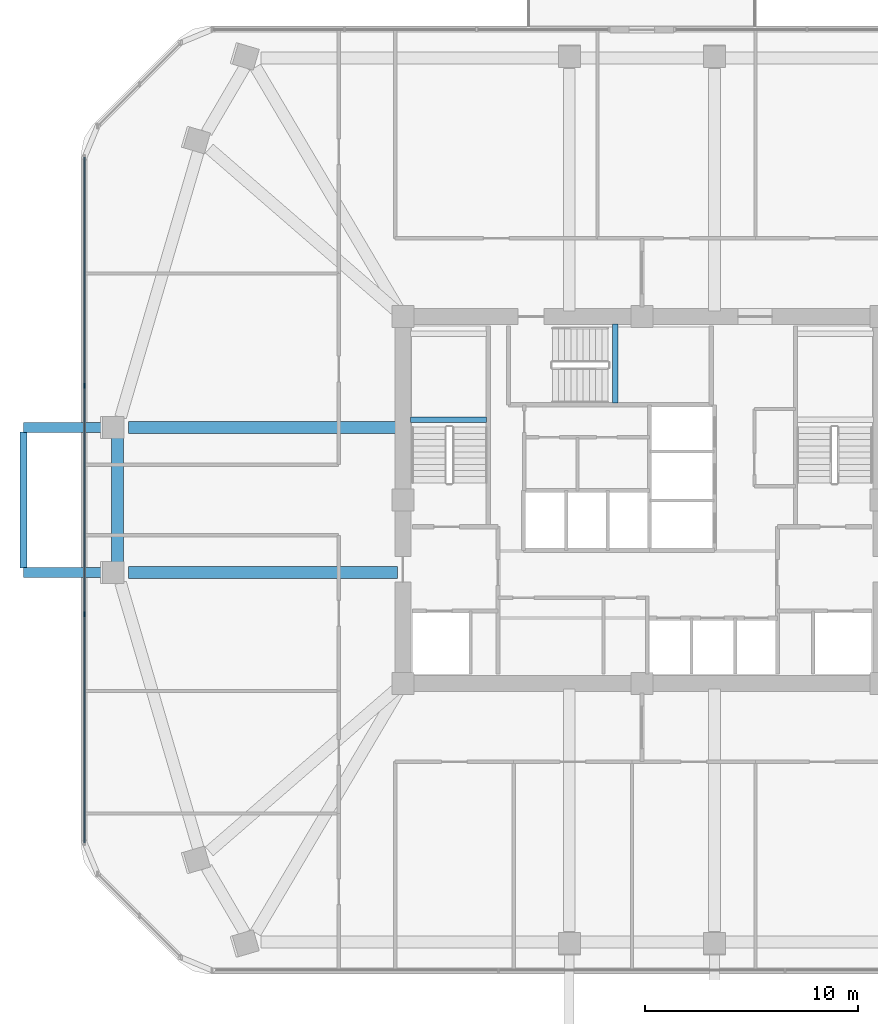
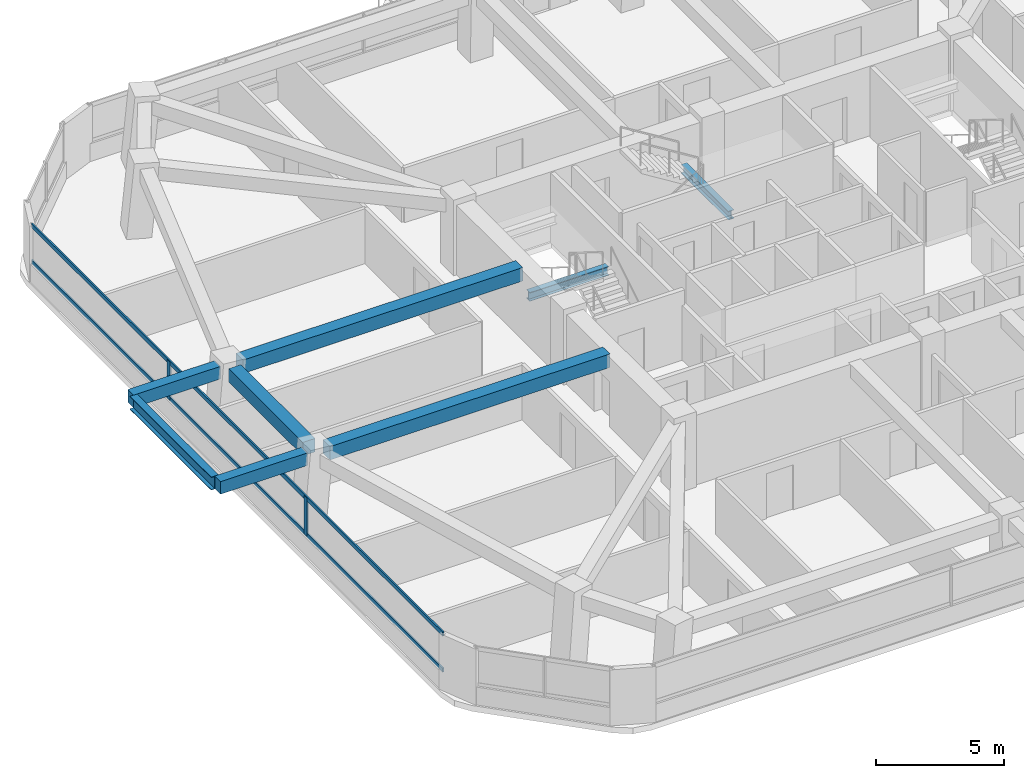
# One storey, part 4 of 14: 8 beams, 4 members, 1 element without a shape of its own.
"""IFC4 building model written with IfcOpenShell, lengths in metres."""

from ifc_helpers import new_model, si_unit, derived_unit, direction, frame, origin, origin_2d, place, context, subcontext, project, spatial, rectangle, i_section, extrude, material, material_profile, profile_set, type_object, element, aggregate, save


model = new_model("IFC4")

# Units and contexts
model_context = context("Model", 3, precision=1e-05, world=origin(), true_north=direction((0.0, 1.0)))
body_context = subcontext(model_context, "Body", "Model", "MODEL_VIEW")
ifc_project = project(units=[si_unit("LENGTHUNIT", "METRE"), si_unit("AREAUNIT", "SQUARE_METRE"), si_unit("VOLUMEUNIT", "CUBIC_METRE"), si_unit("PLANEANGLEUNIT", "RADIAN"), si_unit("MASSUNIT", "GRAM", prefix="KILO"), derived_unit("THERMALTRANSMITTANCEUNIT", [(si_unit("POWERUNIT", "WATT"), 1), (si_unit("LENGTHUNIT", "METRE"), -2), (si_unit("THERMODYNAMICTEMPERATUREUNIT", "KELVIN"), -1)])], contexts=[model_context])

# Site, building, storey
site_placement = place(None, origin())
site = spatial("IfcSite", under=ifc_project, at=site_placement, CompositionType="ELEMENT")
building_placement = place(site_placement, origin())
building = spatial("IfcBuilding", under=site, at=building_placement, Name="Koralith Skygarden Medical Center", CompositionType="ELEMENT")
storey_placement = place(building_placement, frame((0.0, 0.0, 95.580078125)))
storey = spatial("IfcBuildingStorey", under=building, at=storey_placement, Name="L24", CompositionType="ELEMENT", Elevation=95.580078125)

# Curtain wall, members
ifc_material_1 = material(Name="Clear Laminated Glass", Category="glass")
curtain_wall_type = type_object("IfcCurtainWallType", Name="CW-3 Zone 2 Faceted Solar Curtain Wall", PredefinedType="NOTDEFINED", material=ifc_material_1)
curtain_wall_placement = place(storey_placement, origin())
curtain_wall = element("IfcCurtainWall", 1, at=curtain_wall_placement, inside=storey, type_object=curtain_wall_type, Name="Curtain Wall CW-L24-W", PredefinedType="NOTDEFINED")
ifc_material_2 = material(Name="Aluminium 6063-T6", Category="aluminium")
ifc_material_profile_1 = material_profile(ifc_material_2, rectangle(XDim=0.073974609375, YDim=0.219970703125, at=origin_2d()), Name="MUL74X220")
ifc_profile_set_1 = profile_set([ifc_material_profile_1], Name="Aluminium 6063-T6")
member_type_1 = type_object("IfcMemberType", Name="CW-3 Extruded Mullion 74x220", PredefinedType="MULLION", material=ifc_profile_set_1)
member_1_placement = place(storey_placement, frame((10.884033203125, 31.256103515625, 0.849853515625), z_axis=(0.0, 0.0, 1.0), x_axis=(1.0, 0.0, 0.0)))
member_1 = element("IfcMember", 2, at=member_1_placement, type_object=member_type_1, Name="CW-L24-W Mullion 2", PredefinedType="MULLION", context=body_context, shape_type="SweptSolid", body=[
    extrude(rectangle(XDim=0.073974609375, YDim=0.219970703125, at=origin_2d()), origin(), (0.0, 0.0, 1.0), 1.820068359375),
])
member_2_placement = place(storey_placement, frame((10.884033203125, 20.5439453125, 0.849853515625), z_axis=(0.0, 0.0, 1.0), x_axis=(1.0, 0.0, 0.0)))
member_2 = element("IfcMember", 3, at=member_2_placement, type_object=member_type_1, Name="CW-L24-W Mullion 3", PredefinedType="MULLION", context=body_context, shape_type="SweptSolid", body=[
    extrude(rectangle(XDim=0.073974609375, YDim=0.219970703125, at=origin_2d()), origin(), (0.0, 0.0, 1.0), 1.820068359375),
])
ifc_material_profile_2 = material_profile(ifc_material_2, rectangle(XDim=0.069091796875, YDim=0.197998046875, at=origin_2d()), Name="TRN69X198")
ifc_profile_set_2 = profile_set([ifc_material_profile_2], Name="Aluminium 6063-T6")
member_type_2 = type_object("IfcMemberType", Name="CW-3 Thermal Transom 69x198", PredefinedType="USERDEFINED", material=ifc_profile_set_2)
member_3_placement = place(storey_placement, frame((10.884033203125, 41.968017578125, 0.89990234375), z_axis=(0.0, -1.0, 0.0), x_axis=(1.0, 0.0, 0.0)))
member_3 = element("IfcMember", 4, at=member_3_placement, type_object=member_type_2, Name="CW-L24-W Transom 1", ObjectType="TRANSOM", PredefinedType="USERDEFINED", context=body_context, shape_type="SweptSolid", body=[
    extrude(rectangle(XDim=0.069091796875, YDim=0.197998046875, at=origin_2d()), origin(), (0.0, 0.0, 1.0), 32.135986328125),
])
member_4_placement = place(storey_placement, frame((10.884033203125, 41.968017578125, 2.619873046875), z_axis=(0.0, -1.0, 0.0), x_axis=(1.0, 0.0, 0.0)))
member_4 = element("IfcMember", 5, at=member_4_placement, type_object=member_type_2, Name="CW-L24-W Transom 2", ObjectType="TRANSOM", PredefinedType="USERDEFINED", context=body_context, shape_type="SweptSolid", body=[
    extrude(rectangle(XDim=0.069091796875, YDim=0.197998046875, at=origin_2d()), origin(), (0.0, 0.0, 1.0), 32.135986328125),
])
aggregate(curtain_wall, [member_1, member_2, member_3, member_4])

# Beams
ifc_material_3 = material(Name="Steel ASTM A992 Grade 50", Category="steel")
ifc_material_profile_3 = material_profile(ifc_material_3, i_section(OverallWidth=0.326904296875, OverallDepth=0.6220703125, WebThickness=0.015380859375, FlangeThickness=0.0244140625, at=origin_2d()), Name="W24X131")
ifc_profile_set_3 = profile_set([ifc_material_profile_3], Name="Steel ASTM A992 Grade 50")
beam_type_1 = type_object("IfcBeamType", Name="Cantilever Tie Beam W24X131", PredefinedType="BEAM", material=ifc_profile_set_3)
beam_1_placement = place(storey_placement, frame((8.01708984375, 22.719970703125, 3.02880859375), z_axis=(0.0, 1.0, 0.0), x_axis=(-1.0, 0.0, 0.0)))
element("IfcBeam", 6, at=beam_1_placement, inside=storey, type_object=beam_type_1, Name="L25 W Balcony Tip Tie Beam", PredefinedType="BEAM", context=body_context, shape_type="SweptSolid", body=[
    extrude(i_section(OverallWidth=0.326904296875, OverallDepth=0.6220703125, WebThickness=0.015380859375, FlangeThickness=0.0244140625, at=origin_2d()), origin(), (0.0, 0.0, 1.0), 6.360107421875),
])
ifc_material_profile_4 = material_profile(ifc_material_3, i_section(OverallWidth=0.260009765625, OverallDepth=0.4150390625, WebThickness=0.010009765625, FlangeThickness=0.016845703125, at=origin_2d()), Name="W16X67")
ifc_profile_set_4 = profile_set([ifc_material_profile_4], Name="Steel ASTM A992 Grade 50")
beam_type_2 = type_object("IfcBeamType", Name="Clinical Floor Joist W16X67", PredefinedType="JOIST", material=ifc_profile_set_4)
beam_2_placement = place(storey_placement, frame((26.155029296875, 29.659912109375, 1.391845703125), z_axis=(1.0, 0.0, 0.0), x_axis=(0.0, 1.0, 0.0)))
element("IfcBeam", 7, at=beam_2_placement, inside=storey, type_object=beam_type_2, Name="L24 Stair ST1 Half-Landing Support Beam 1A", PredefinedType="JOIST", context=body_context, shape_type="SweptSolid", body=[
    extrude(i_section(OverallWidth=0.260009765625, OverallDepth=0.4150390625, WebThickness=0.010009765625, FlangeThickness=0.016845703125, at=origin_2d()), origin(), (0.0, 0.0, 1.0), 3.56494140625),
])
beam_3_placement = place(storey_placement, frame((35.760009765625, 30.43994140625, 1.391845703125), z_axis=(0.0, 1.0, 0.0), x_axis=(-1.0, 0.0, 0.0)))
element("IfcBeam", 8, at=beam_3_placement, inside=storey, type_object=beam_type_2, Name="L24 Stair ST3 Half-Landing Support Beam 1A", PredefinedType="JOIST", context=body_context, shape_type="SweptSolid", body=[
    extrude(i_section(OverallWidth=0.260009765625, OverallDepth=0.4150390625, WebThickness=0.010009765625, FlangeThickness=0.016845703125, at=origin_2d()), origin(), (0.0, 0.0, 1.0), 3.705078125),
])
ifc_material_4 = material(Name="Concrete C45/55", Category="concrete")
ifc_material_profile_5 = material_profile(ifc_material_4, rectangle(XDim=0.449951171875, YDim=0.60009765625, at=origin_2d()), Name="RCB450X600")
ifc_profile_set_5 = profile_set([ifc_material_profile_5], Name="Concrete C45/55")
beam_type_3 = type_object("IfcBeamType", Name="Planted Balcony Cantilever Beam RCB450X600", PredefinedType="BEAM", material=ifc_profile_set_5)
for number, where, z_axis, x_axis, name in (
    (9, (11.93701171875, 22.5, 3.0400390625), (-1.0, 0.0, 0.0), (0.0, -1.0, 0.0), "L25 W Balcony Cantilever Beam A"),
    (10, (11.93701171875, 29.300048828125, 3.0400390625), (-1.0, 0.0, 0.0), (0.0, -1.0, 0.0), "L25 W Balcony Cantilever Beam B"),
):
    element("IfcBeam", number, at=place(storey_placement, frame(where, z_axis=z_axis, x_axis=x_axis)), inside=storey, type_object=beam_type_3, Name=name, PredefinedType="BEAM", context=body_context, shape_type="SweptSolid", body=[
        extrude(rectangle(XDim=0.449951171875, YDim=0.60009765625, at=origin_2d()), origin(), (0.0, 0.0, 1.0), 3.919921875),
    ])
ifc_material_profile_6 = material_profile(ifc_material_4, rectangle(XDim=0.550048828125, YDim=0.639892578125, at=origin_2d()), Name="RCB550X640")
ifc_profile_set_6 = profile_set([ifc_material_profile_6], Name="Concrete C45/55")
beam_type_4 = type_object("IfcBeamType", Name="Radial Collector Beam RCB550X640", PredefinedType="BEAM", material=ifc_profile_set_6)
for number, where, z_axis, x_axis, name in (
    (11, (25.550048828125, 22.5, 3.0), (-1.0, 0.0, 0.0), (0.0, -1.0, 0.0), "L24 Radial Collector Beam RB-01"),
    (12, (25.550048828125, 29.300048828125, 3.0), (-1.0, 0.0, 0.0), (0.0, -1.0, 0.0), "L24 Radial Collector Beam RB-16"),
):
    element("IfcBeam", number, at=place(storey_placement, frame(where, z_axis=z_axis, x_axis=x_axis)), inside=storey, type_object=beam_type_4, Name=name, PredefinedType="BEAM", context=body_context, shape_type="SweptSolid", body=[
        extrude(rectangle(XDim=0.550048828125, YDim=0.639892578125, at=origin_2d()), origin(), (0.0, 0.0, 1.0), 12.623046875),
    ])
ifc_material_profile_7 = material_profile(ifc_material_4, rectangle(XDim=0.550048828125, YDim=0.639892578125, at=origin_2d()), Name="RCB550X640")
ifc_profile_set_7 = profile_set([ifc_material_profile_7], Name="Concrete C45/55")
beam_type_5 = type_object("IfcBeamType", Name="Zone 2-3 Spandrel Beam RCB550X640", PredefinedType="SPANDREL", material=ifc_profile_set_7)
beam_4_placement = place(storey_placement, frame((12.427001953125, 28.800048828125, 3.0), z_axis=(0.0, -1.0, 0.0), x_axis=(1.0, 0.0, 0.0)))
element("IfcBeam", 13, at=beam_4_placement, inside=storey, type_object=beam_type_5, Name="L24 Perimeter Spandrel Beam SP-16", PredefinedType="SPANDREL", context=body_context, shape_type="SweptSolid", body=[
    extrude(rectangle(XDim=0.550048828125, YDim=0.639892578125, at=origin_2d()), origin(), (0.0, 0.0, 1.0), 5.800048828125),
])

save(model, "model.ifc")
